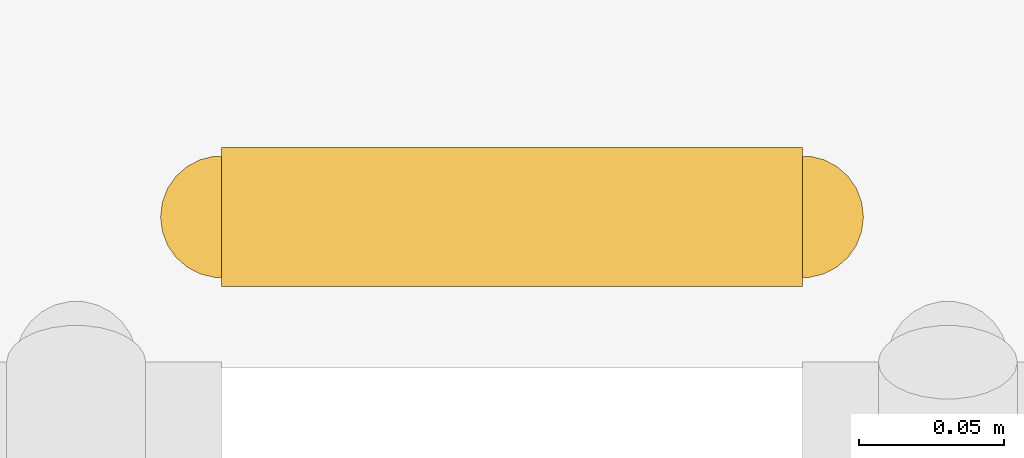
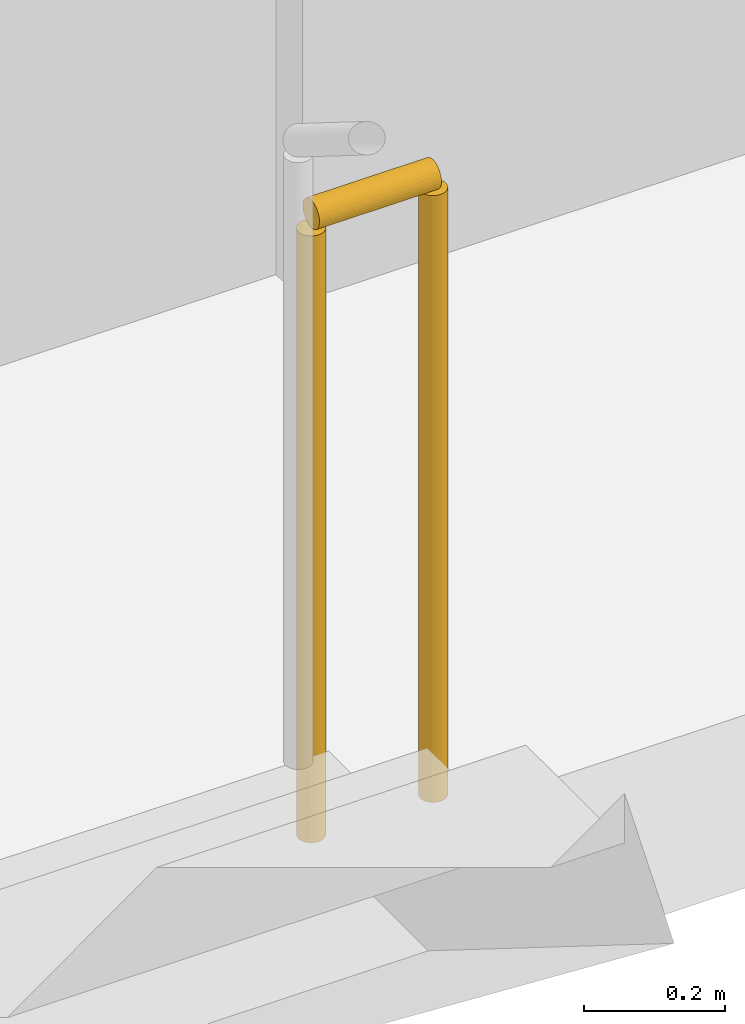
# One storey, part 19 of 21: 1 railing.
"""IFC4 building model written with IfcOpenShell, lengths in metres."""

from ifc_helpers import new_model, si_unit, direction, frame, origin, origin_2d, place, context, subcontext, project, spatial, circle, extrude, material, type_object, element, save


model = new_model("IFC4")

# Units and contexts
model_context = context("Model", 3, precision=1e-05, world=origin(), true_north=direction((0.0, 1.0)))
body_context = subcontext(model_context, "Body", "Model", "MODEL_VIEW")
ifc_project = project(units=[si_unit("LENGTHUNIT", "METRE"), si_unit("AREAUNIT", "SQUARE_METRE"), si_unit("VOLUMEUNIT", "CUBIC_METRE"), si_unit("PLANEANGLEUNIT", "RADIAN"), si_unit("MASSUNIT", "GRAM", prefix="KILO")], contexts=[model_context])

# Site, building, storey
site_placement = place(None, origin())
site = spatial("IfcSite", under=ifc_project, at=site_placement, CompositionType="ELEMENT")
building_placement = place(site_placement, origin())
building = spatial("IfcBuilding", under=site, at=building_placement, Name="Kiln Ring Residences", CompositionType="ELEMENT")
storey_placement = place(building_placement, frame((0.0, 0.0, 41.0)))
storey = spatial("IfcBuildingStorey", under=building, at=storey_placement, Name="L09", CompositionType="ELEMENT", Elevation=41.0)

# Railing
ifc_material = material(Name="Stainless steel", Category="steel")
railing_type = type_object("IfcRailingType", Name="CORE-STAIR-GUARD", PredefinedType="GUARDRAIL", material=ifc_material)
railing_placement = place(storey_placement, frame((-22.199951171875, 8.449951171875, 0.0)))
element("IfcRailing", 1, at=railing_placement, inside=storey, type_object=railing_type, Name="L09 W-STN stair guard 4", PredefinedType="GUARDRAIL", context=body_context, shape_type="SweptSolid", body=[
    extrude(circle(Radius=0.02392578125, at=origin_2d()), frame((0.0, 0.0, 1.076171875), z_axis=(1.0, 0.0, 0.0), x_axis=(0.0, 1.0, 0.0)), (0.0, 0.0, 1.0), 0.199951171875),
    extrude(circle(Radius=0.02099609375, at=origin_2d()), origin(), (0.0, 0.0, 1.0), 1.052001953125),
    extrude(circle(Radius=0.02099609375, at=origin_2d()), frame((0.199951171875, 0.0, 0.0)), (0.0, 0.0, 1.0), 1.052001953125),
])

save(model, "model.ifc")
